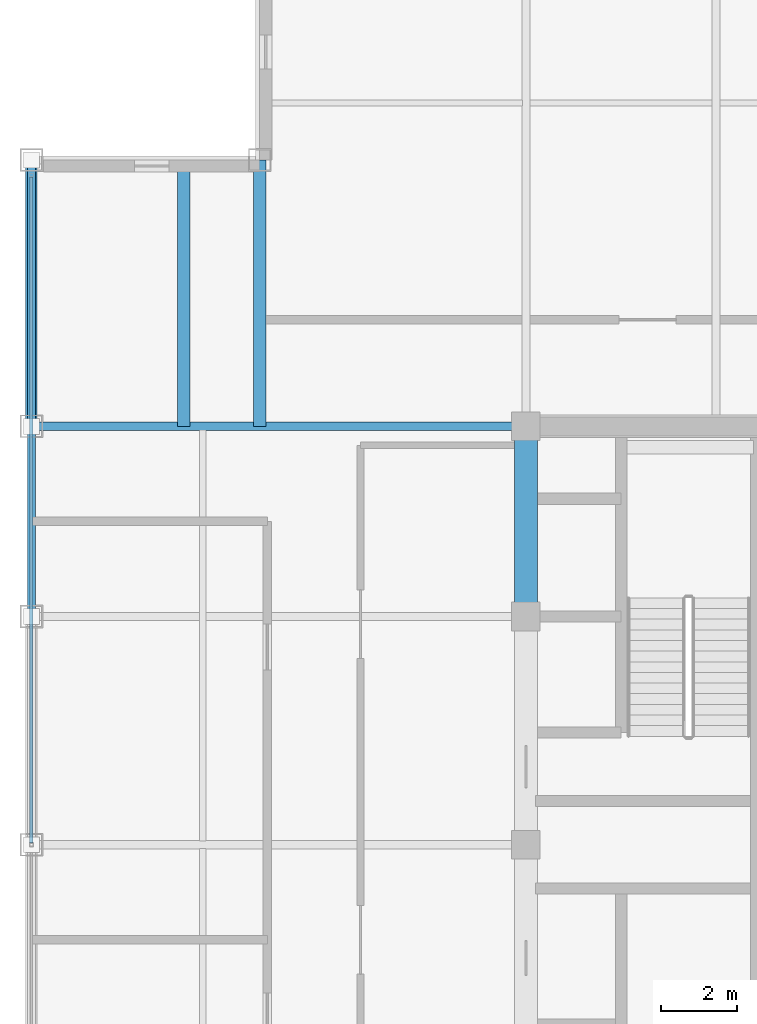
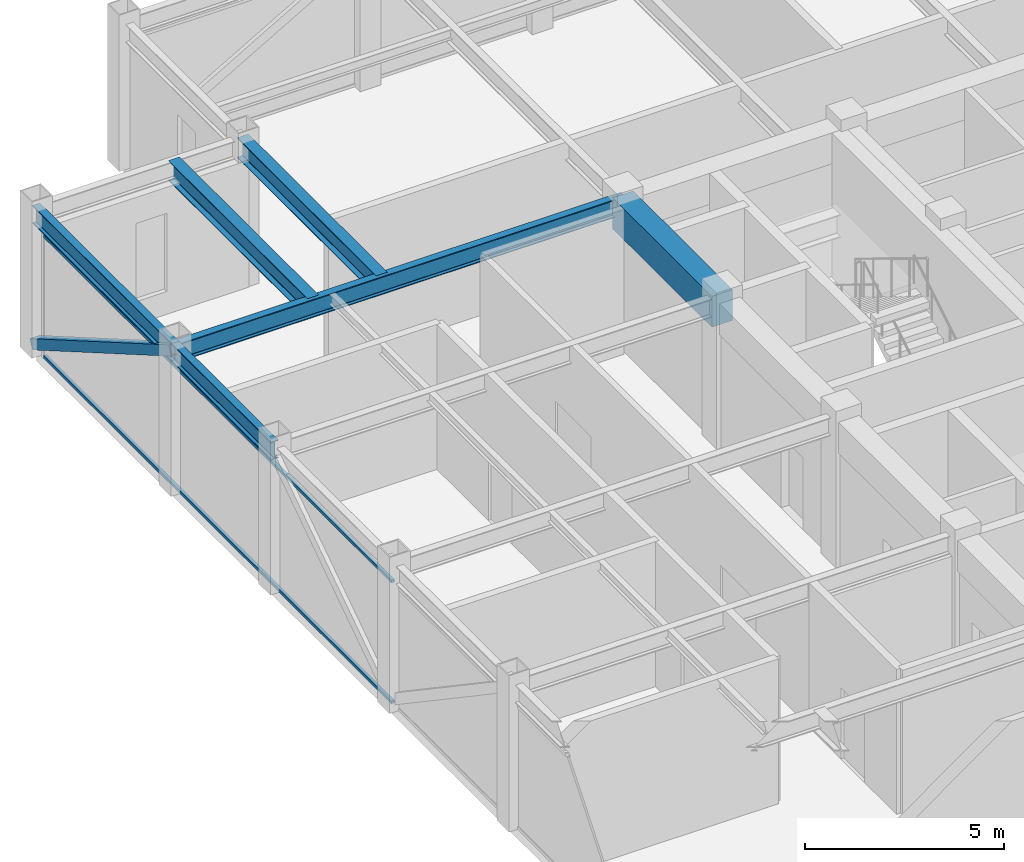
# One storey, part 13 of 27: 6 beams, 3 members, 1 element without a shape of its own.
"""IFC4 building model written with IfcOpenShell, lengths in metres."""

from ifc_helpers import new_model, si_unit, direction, frame, origin, origin_2d, place, context, subcontext, project, spatial, rectangle, hollow_rectangle, i_section, extrude, source, transform, mapped, material, material_profile, profile_set, type_object, element, aggregate, save


model = new_model("IFC4")

# Units and contexts
model_context = context("Model", 3, precision=1e-05, world=origin(), true_north=direction((0.0, 1.0)))
body_context = subcontext(model_context, "Body", "Model", "MODEL_VIEW")
ifc_project = project(units=[si_unit("LENGTHUNIT", "METRE"), si_unit("AREAUNIT", "SQUARE_METRE"), si_unit("VOLUMEUNIT", "CUBIC_METRE"), si_unit("PLANEANGLEUNIT", "RADIAN"), si_unit("MASSUNIT", "GRAM", prefix="KILO")], contexts=[model_context])

# Site, building, storey
site_placement = place(None, origin())
site = spatial("IfcSite", under=ifc_project, at=site_placement, CompositionType="ELEMENT")
building_placement = place(site_placement, origin())
building = spatial("IfcBuilding", under=site, at=building_placement, Name="Khorayat Bourse Tower", CompositionType="ELEMENT")
storey_placement = place(building_placement, frame((0.0, 0.0, 394.699951171875)))
storey = spatial("IfcBuildingStorey", under=building, at=storey_placement, Name="L93", CompositionType="ELEMENT", Elevation=394.699951171875)

# Beams
ifc_material_1 = material(Name="Concrete C60/75", Category="concrete")
ifc_material_profile_1 = material_profile(ifc_material_1, rectangle(XDim=0.60009765625, YDim=0.949951171875, at=origin_2d()), Name="RC 600x950")
ifc_profile_set_1 = profile_set([ifc_material_profile_1], Name="Concrete C60/75")
beam_type_1 = type_object("IfcBeamType", Name="BM-COUP-950", PredefinedType="BEAM", material=ifc_profile_set_1)
shared_shape_1 = source(origin(), body_context, "Body", "SweptSolid", [
    extrude(rectangle(XDim=0.60009765625, YDim=0.949951171875, at=origin_2d()), origin(), (0.0, 0.0, 1.0), 5.0),
])
beam_1_placement = place(storey_placement, frame((-11.0, 6.0, 3.97509765625), z_axis=(0.0, 1.0, 0.0), x_axis=(-1.0, 0.0, 0.0)))
element("IfcBeam", 1, at=beam_1_placement, inside=storey, type_object=beam_type_1, Name="L93 BM-COUP-950 BM-L93-CRX-04", PredefinedType="BEAM", context=body_context, shape_type="MappedRepresentation", body=[
    mapped(shared_shape_1, transform((0.0, 0.0, 0.0), scale=1.0)),
])
ifc_material_2 = material(Name="Steel ASTM A992 Grade 50", Category="steel")
ifc_material_profile_2 = material_profile(ifc_material_2, i_section(OverallWidth=0.214111328125, OverallDepth=0.549072265625, WebThickness=0.0146484375, FlangeThickness=0.023681640625, FilletRadius=0.013916015625, at=origin_2d()), Name="W530X138")
ifc_profile_set_2 = profile_set([ifc_material_profile_2], Name="Steel ASTM A992 Grade 50")
beam_type_2 = type_object("IfcBeamType", Name="BM-SPAN-530", PredefinedType="SPANDREL", material=ifc_profile_set_2)
shared_shape_2 = source(origin(), body_context, "Body", "SweptSolid", [
    extrude(i_section(OverallWidth=0.214111328125, OverallDepth=0.549072265625, WebThickness=0.0146484375, FlangeThickness=0.023681640625, FilletRadius=0.013916015625, at=origin_2d()), origin(), (0.0, 0.0, 1.0), 5.0),
])
beam_2_placement = place(storey_placement, frame((-24.0, 6.0, 4.175537109375), z_axis=(0.0, 1.0, 0.0), x_axis=(-1.0, 0.0, 0.0)))
element("IfcBeam", 2, at=beam_2_placement, inside=storey, type_object=beam_type_2, Name="L93 BM-SPAN-530 BM-L93-SPN-049", PredefinedType="SPANDREL", context=body_context, shape_type="MappedRepresentation", body=[
    mapped(shared_shape_2, transform((0.0, 0.0, 0.0), scale=1.0)),
])
shared_shape_3 = source(origin(), body_context, "Body", "SweptSolid", [
    extrude(i_section(OverallWidth=0.214111328125, OverallDepth=0.549072265625, WebThickness=0.0146484375, FlangeThickness=0.023681640625, FilletRadius=0.013916015625, at=origin_2d()), origin(), (0.0, 0.0, 1.0), 7.0),
])
beam_3_placement = place(storey_placement, frame((-24.0, 11.0, 4.175537109375), z_axis=(0.0, 1.0, 0.0), x_axis=(-1.0, 0.0, 0.0)))
element("IfcBeam", 3, at=beam_3_placement, inside=storey, type_object=beam_type_2, Name="L93 BM-SPAN-530 BM-L93-SPN-048", PredefinedType="SPANDREL", context=body_context, shape_type="MappedRepresentation", body=[
    mapped(shared_shape_3, transform((0.0, 0.0, 0.0), scale=1.0)),
])
ifc_material_profile_3 = material_profile(ifc_material_2, i_section(OverallWidth=0.214111328125, OverallDepth=0.549072265625, WebThickness=0.0146484375, FlangeThickness=0.023681640625, FilletRadius=0.013916015625, at=origin_2d()), Name="W530X138")
ifc_profile_set_3 = profile_set([ifc_material_profile_3], Name="Steel ASTM A992 Grade 50")
beam_type_3 = type_object("IfcBeamType", Name="BM-GIRD-530", PredefinedType="BEAM", material=ifc_profile_set_3)
shared_shape_4 = source(origin(), body_context, "Body", "SweptSolid", [
    extrude(i_section(OverallWidth=0.214111328125, OverallDepth=0.549072265625, WebThickness=0.0146484375, FlangeThickness=0.023681640625, FilletRadius=0.013916015625, at=origin_2d()), origin(), (0.0, 0.0, 1.0), 13.0),
])
beam_4_placement = place(storey_placement, frame((-24.0, 11.0, 4.175537109375), z_axis=(1.0, 0.0, 0.0), x_axis=(0.0, 1.0, 0.0)))
element("IfcBeam", 4, at=beam_4_placement, inside=storey, type_object=beam_type_3, Name="L93 BM-GIRD-530 BM-L93-RADX-075", PredefinedType="BEAM", context=body_context, shape_type="MappedRepresentation", body=[
    mapped(shared_shape_4, transform((0.0, 0.0, 0.0), scale=1.0)),
])
ifc_material_profile_4 = material_profile(ifc_material_2, i_section(OverallWidth=0.324951171875, OverallDepth=0.615966796875, WebThickness=0.013916015625, FlangeThickness=0.021484375, FilletRadius=0.01611328125, at=origin_2d()), Name="W610X174")
ifc_profile_set_4 = profile_set([ifc_material_profile_4], Name="Steel ASTM A992 Grade 50")
beam_type_4 = type_object("IfcBeamType", Name="BM-GIRD-610", PredefinedType="BEAM", material=ifc_profile_set_4)
shared_shape_5 = source(origin(), body_context, "Body", "SweptSolid", [
    extrude(i_section(OverallWidth=0.324951171875, OverallDepth=0.615966796875, WebThickness=0.013916015625, FlangeThickness=0.021484375, FilletRadius=0.01611328125, at=origin_2d()), origin(), (0.0, 0.0, 1.0), 7.0),
])
for number, where, z_axis, x_axis, name in (
    (5, (-18.0, 11.0, 4.14208984375), (0.0, 1.0, 0.0), (-1.0, 0.0, 0.0), "L93 BM-GIRD-610 BM-L93-CNRY-077"),
    (6, (-20.0, 11.0, 4.14208984375), (0.0, 1.0, 0.0), (-1.0, 0.0, 0.0), "L93 BM-GIRD-610 BM-L93-CNRY-081"),
):
    element("IfcBeam", number, at=place(storey_placement, frame(where, z_axis=z_axis, x_axis=x_axis)), inside=storey, type_object=beam_type_4, Name=name, PredefinedType="BEAM", context=body_context, shape_type="MappedRepresentation", body=[
        mapped(shared_shape_5, transform((0.0, 0.0, 0.0), scale=1.0)),
    ])

# Member
ifc_material_3 = material(Name="Steel EN 10025-2 S355J2", Category="steel")
ifc_material_profile_5 = material_profile(ifc_material_3, hollow_rectangle(XDim=0.300048828125, YDim=0.300048828125, WallThickness=0.01611328125, at=origin_2d()), Name="HSS 300x300x16")
ifc_profile_set_5 = profile_set([ifc_material_profile_5], Name="Steel EN 10025-2 S355J2")
member_type_1 = type_object("IfcMemberType", Name="MBR-CROWN-300", PredefinedType="USERDEFINED", material=ifc_profile_set_5)
shared_shape_6 = source(origin(), body_context, "Body", "SweptSolid", [
    extrude(hollow_rectangle(XDim=0.300048828125, YDim=0.300048828125, WallThickness=0.01611328125, at=origin_2d()), origin(), (0.0, 0.0, 1.0), 8.087158203125),
])
member_1_placement = place(storey_placement, frame((-24.0, 11.0, 4.25), z_axis=(0.0, 0.865564731219, -0.500797060763), x_axis=(-1.0, 0.0, 0.0)))
element("IfcMember", 7, at=member_1_placement, inside=storey, type_object=member_type_1, Name="L93 Lantern Crown Frame Member 12", ObjectType="CROWN FRAME", PredefinedType="USERDEFINED", context=body_context, shape_type="MappedRepresentation", body=[
    mapped(shared_shape_6, transform((0.0, 0.0, 0.0), scale=1.0)),
])

# Curtain wall, members
ifc_material_4 = material(Name="Aluminium EN AW-6063 T6", Category="aluminium")
curtain_wall_type = type_object("IfcCurtainWallType", Name="CW-SYS-07", PredefinedType="NOTDEFINED", material=ifc_material_4)
curtain_wall_placement = place(storey_placement, origin())
curtain_wall = element("IfcCurtainWall", 8, at=curtain_wall_placement, inside=storey, type_object=curtain_wall_type, Name="L93 Curtain Wall CW-L93-W1", PredefinedType="NOTDEFINED")
ifc_material_profile_6 = material_profile(ifc_material_4, hollow_rectangle(XDim=0.090087890625, YDim=0.090087890625, WallThickness=0.00390625, at=origin_2d()), Name="ALU 90x90x4")
ifc_profile_set_6 = profile_set([ifc_material_profile_6], Name="Aluminium EN AW-6063 T6")
member_type_2 = type_object("IfcMemberType", Name="CWT-HORZ-90", PredefinedType="USERDEFINED", material=ifc_profile_set_6)
shared_shape_7 = source(origin(), body_context, "Body", "SweptSolid", [
    extrude(hollow_rectangle(XDim=0.090087890625, YDim=0.090087890625, WallThickness=0.00390625, at=origin_2d()), origin(), (0.0, 0.0, 1.0), 17.5),
])
member_2_placement = place(storey_placement, frame((-24.0, 0.050048828125, 0.045166015625), z_axis=(0.0, 1.0, 0.0), x_axis=(-1.0, 0.0, 0.0)))
member_2 = element("IfcMember", 9, at=member_2_placement, type_object=member_type_2, Name="CW-L93-W1 Horizontal Transom 2-1", ObjectType="TRANSOM", PredefinedType="USERDEFINED", context=body_context, shape_type="MappedRepresentation", body=[
    mapped(shared_shape_7, transform((0.0, 0.0, 0.0), scale=1.0)),
])
member_3_placement = place(storey_placement, frame((-24.0, 0.050048828125, 3.755126953125), z_axis=(0.0, 1.0, 0.0), x_axis=(-1.0, 0.0, 0.0)))
member_3 = element("IfcMember", 10, at=member_3_placement, type_object=member_type_2, Name="CW-L93-W1 Horizontal Transom 2-2", ObjectType="TRANSOM", PredefinedType="USERDEFINED", context=body_context, shape_type="MappedRepresentation", body=[
    mapped(shared_shape_7, transform((0.0, 0.0, 0.0), scale=1.0)),
])
aggregate(curtain_wall, [member_2, member_3])

save(model, "model.ifc")
